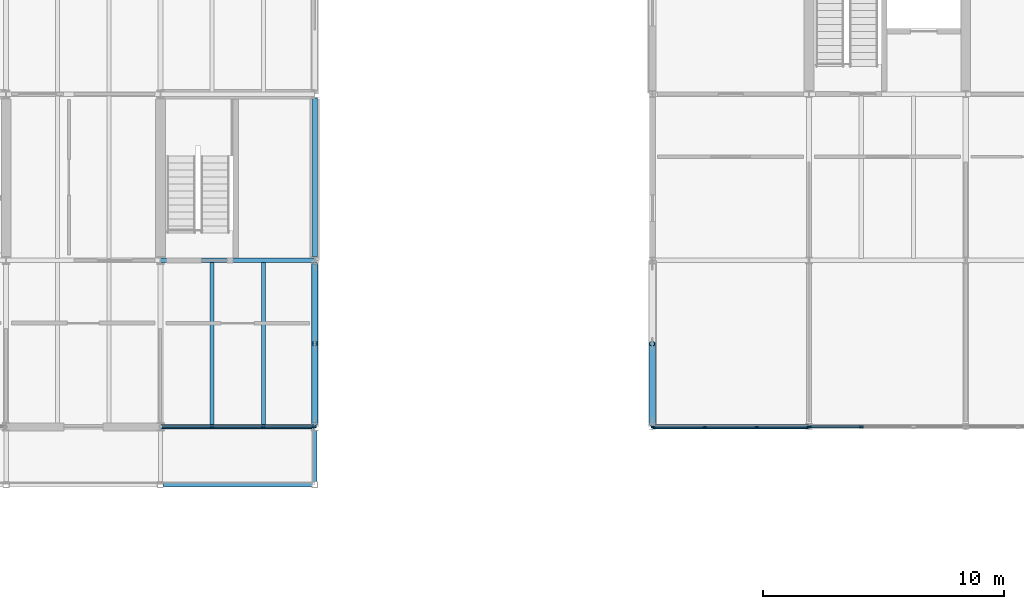
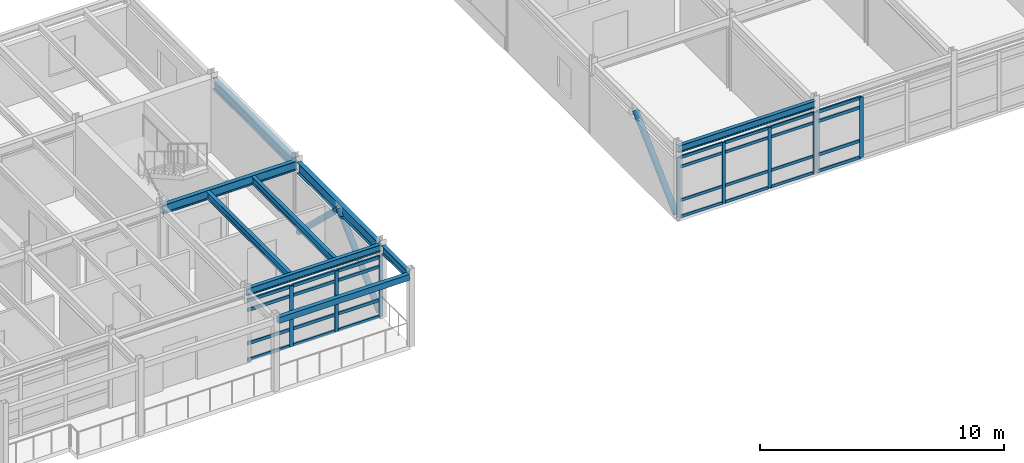
# One storey, part 23 of 57: 40 members, 9 beams, 3 elements without a shape of their own.
"""IFC4 building model written with IfcOpenShell, lengths in metres."""

from ifc_helpers import new_model, si_unit, direction, frame, origin, origin_2d, place, context, subcontext, project, spatial, rectangle, hollow_rectangle, hollow_circle, i_section, extrude, material, layer, layer_set, material_profile, profile_set, type_object, element, aggregate, save


model = new_model("IFC4")

# Units and contexts
model_context = context("Model", 3, precision=1e-05, world=origin(), true_north=direction((0.0, 1.0)))
body_context = subcontext(model_context, "Body", "Model", "MODEL_VIEW")
ifc_project = project(units=[si_unit("LENGTHUNIT", "METRE"), si_unit("AREAUNIT", "SQUARE_METRE"), si_unit("VOLUMEUNIT", "CUBIC_METRE"), si_unit("PLANEANGLEUNIT", "RADIAN"), si_unit("MASSUNIT", "GRAM", prefix="KILO")], contexts=[model_context])

# Site, building, storey
site_placement = place(None, origin())
site = spatial("IfcSite", under=ifc_project, at=site_placement, CompositionType="ELEMENT")
building_placement = place(site_placement, origin())
building = spatial("IfcBuilding", under=site, at=building_placement, Name="Trelmorton Wharf Fire Station", CompositionType="ELEMENT")
storey_placement = place(building_placement, frame((0.0, 0.0, 13.5)))
storey = spatial("IfcBuildingStorey", under=building, at=storey_placement, Name="L03", CompositionType="ELEMENT", Elevation=13.5)

# Beams
ifc_material_1 = material(Name="Steel Grade 350", Category="steel")
ifc_material_profile_1 = material_profile(ifc_material_1, i_section(OverallWidth=0.177978515625, OverallDepth=0.406005859375, WebThickness=0.0078125, FlangeThickness=0.0126953125, FilletRadius=0.011474609375, at=origin_2d()), Name="410UB59.7")
ifc_profile_set_1 = profile_set([ifc_material_profile_1], Name="Steel Grade 350")
beam_type_1 = type_object("IfcBeamType", Name="BM_410UB60", PredefinedType="BEAM", material=ifc_profile_set_1)
beam_1_placement = place(storey_placement, frame((90.0, 58.02099609375, 3.427001953125), z_axis=(0.0, 1.0, 0.0), x_axis=(-1.0, 0.0, 0.0)))
element("IfcBeam", 1, at=beam_1_placement, inside=storey, type_object=beam_type_1, Name="BM-L03-0976", PredefinedType="BEAM", context=body_context, shape_type="SweptSolid", body=[
    extrude(i_section(OverallWidth=0.177978515625, OverallDepth=0.406005859375, WebThickness=0.0078125, FlangeThickness=0.0126953125, FilletRadius=0.011474609375, at=origin_2d()), origin(), (0.0, 0.0, 1.0), 2.12548828125),
])
ifc_material_profile_2 = material_profile(ifc_material_1, i_section(OverallWidth=0.18994140625, OverallDepth=0.45703125, WebThickness=0.009033203125, FlangeThickness=0.014404296875, FilletRadius=0.011474609375, at=origin_2d()), Name="460UB74.6")
ifc_profile_set_2 = profile_set([ifc_material_profile_2], Name="Steel Grade 350")
beam_type_2 = type_object("IfcBeamType", Name="BM_460UB75", PredefinedType="BEAM", material=ifc_profile_set_2)
beam_2_placement = place(storey_placement, frame((83.60498046875, 67.199951171875, 3.401611328125), z_axis=(1.0, 0.0, 0.0), x_axis=(0.0, 1.0, 0.0)))
element("IfcBeam", 2, at=beam_2_placement, inside=storey, type_object=beam_type_2, Name="BM-L03-0933", PredefinedType="BEAM", context=body_context, shape_type="SweptSolid", body=[
    extrude(i_section(OverallWidth=0.18994140625, OverallDepth=0.45703125, WebThickness=0.009033203125, FlangeThickness=0.014404296875, FilletRadius=0.011474609375, at=origin_2d()), origin(), (0.0, 0.0, 1.0), 6.39013671875),
])
ifc_material_profile_3 = material_profile(ifc_material_1, i_section(OverallWidth=0.208984375, OverallDepth=0.532958984375, WebThickness=0.01025390625, FlangeThickness=0.015625, FilletRadius=0.013916015625, at=origin_2d()), Name="530UB92.4")
ifc_profile_set_3 = profile_set([ifc_material_profile_3], Name="Steel Grade 350")
beam_type_3 = type_object("IfcBeamType", Name="BM_530UB92", PredefinedType="BEAM", material=ifc_profile_set_3)
beam_3_placement = place(storey_placement, frame((90.0, 60.45361328125, 3.363525390625), z_axis=(0.0, 1.0, 0.0), x_axis=(-1.0, 0.0, 0.0)))
element("IfcBeam", 3, at=beam_3_placement, inside=storey, type_object=beam_type_3, Name="BM-L03-0977", PredefinedType="BEAM", context=body_context, shape_type="SweptSolid", body=[
    extrude(i_section(OverallWidth=0.208984375, OverallDepth=0.532958984375, WebThickness=0.01025390625, FlangeThickness=0.015625, FilletRadius=0.013916015625, at=origin_2d()), origin(), (0.0, 0.0, 1.0), 6.58984375),
])
beam_4_placement = place(storey_placement, frame((90.0, 67.3564453125, 3.363525390625), z_axis=(0.0, 1.0, 0.0), x_axis=(-1.0, 0.0, 0.0)))
element("IfcBeam", 4, at=beam_4_placement, inside=storey, type_object=beam_type_3, Name="BM-L03-0978", PredefinedType="BEAM", context=body_context, shape_type="SweptSolid", body=[
    extrude(i_section(OverallWidth=0.208984375, OverallDepth=0.532958984375, WebThickness=0.01025390625, FlangeThickness=0.015625, FilletRadius=0.013916015625, at=origin_2d()), origin(), (0.0, 0.0, 1.0), 6.587158203125),
])
ifc_material_2 = material(Name="Signal-red architectural steel Grade 350", Category="steel")
ifc_material_profile_4 = material_profile(ifc_material_2, hollow_rectangle(XDim=0.199951171875, YDim=0.300048828125, WallThickness=0.012451171875, at=origin_2d()), Name="300x200x12.5RHS")
ifc_profile_set_4 = profile_set([ifc_material_profile_4], Name="Signal-red architectural steel Grade 350")
beam_type_4 = type_object("IfcBeamType", Name="BM_RED_300RHS", PredefinedType="BEAM", material=ifc_profile_set_4)
beam_5_placement = place(storey_placement, frame((83.720947265625, 57.89990234375, 3.47998046875), z_axis=(1.0, 0.0, 0.0), x_axis=(0.0, 1.0, 0.0)))
element("IfcBeam", 5, at=beam_5_placement, inside=storey, type_object=beam_type_4, Name="BM-L03-0919", PredefinedType="BEAM", context=body_context, shape_type="SweptSolid", body=[
    extrude(hollow_rectangle(XDim=0.199951171875, YDim=0.300048828125, WallThickness=0.012451171875, at=origin_2d()), origin(), (0.0, 0.0, 1.0), 6.157958984375),
])

# Members
ifc_material_3 = material(Name="Steel C350L0 (350 MPa)", Category="steel")
ifc_material_profile_5 = material_profile(ifc_material_3, hollow_circle(Radius=0.136474609375, WallThickness=0.00927734375, at=origin_2d()), Name="273.1x9.3CHS")
ifc_profile_set_5 = profile_set([ifc_material_profile_5], Name="Steel C350L0 (350 MPa)")
member_type_1 = type_object("IfcMemberType", Name="BR_273CHS", PredefinedType="BRACE", material=ifc_profile_set_5)
member_1_placement = place(storey_placement, frame((90.0, 60.45458984375, 0.1201171875), z_axis=(0.0, 0.721790056105, 0.692112068171), x_axis=(-1.0, 0.0, 0.0)))
element("IfcMember", 6, at=member_1_placement, inside=storey, type_object=member_type_1, Name="CBF-V2-E-L03-A", PredefinedType="BRACE", context=body_context, shape_type="SweptSolid", body=[
    extrude(hollow_circle(Radius=0.136474609375, WallThickness=0.00927734375, at=origin_2d()), origin(), (0.0, 0.0, 1.0), 4.565673828125),
])
member_2_placement = place(storey_placement, frame((90.0, 67.04248046875, 0.1201171875), z_axis=(0.0, -0.721482462485, 0.692432708879), x_axis=(1.0, 0.0, 0.0)))
element("IfcMember", 7, at=member_2_placement, inside=storey, type_object=member_type_1, Name="CBF-V2-E-L03-B", PredefinedType="BRACE", context=body_context, shape_type="SweptSolid", body=[
    extrude(hollow_circle(Radius=0.136474609375, WallThickness=0.00927734375, at=origin_2d()), origin(), (0.0, 0.0, 1.0), 4.5634765625),
])
member_3_placement = place(storey_placement, frame((104.0, 60.427001953125, 0.1201171875), z_axis=(0.0, 0.724665699135, 0.689100590986), x_axis=(-1.0, 0.0, 0.0)))
element("IfcMember", 8, at=member_3_placement, inside=storey, type_object=member_type_1, Name="CBF-V4-W-L03-A", PredefinedType="BRACE", context=body_context, shape_type="SweptSolid", body=[
    extrude(hollow_circle(Radius=0.136474609375, WallThickness=0.00927734375, at=origin_2d()), origin(), (0.0, 0.0, 1.0), 4.58544921875),
])

# Curtain wall, members
ifc_material_4 = material(Name="Anodised aluminium AW-6063", Category="aluminium")
ifc_layer_1 = layer(ifc_material_4, 0.175048828125)
ifc_layer_set_1 = layer_set([ifc_layer_1], Name="Anodised aluminium AW-6063")
curtain_wall_type_1 = type_object("IfcCurtainWallType", Name="CW_CHIC_B", PredefinedType="USERDEFINED", material=ifc_layer_set_1)
curtain_wall_1_placement = place(storey_placement, origin())
curtain_wall_1 = element("IfcCurtainWall", 9, at=curtain_wall_1_placement, inside=storey, type_object=curtain_wall_type_1, Name="CW-V4-L03-143", ObjectType="CHICAGO BAY CURTAIN WALL", PredefinedType="USERDEFINED")
ifc_material_profile_6 = material_profile(ifc_material_4, rectangle(XDim=0.06494140625, YDim=0.159912109375, at=origin_2d()), Name="ALU-65x160")
ifc_profile_set_6 = profile_set([ifc_material_profile_6], Name="Anodised aluminium AW-6063")
member_type_2 = type_object("IfcMemberType", Name="CWM_65x160", PredefinedType="MULLION", material=ifc_profile_set_6)
member_4_placement = place(storey_placement, frame((110.465087890625, 60.300048828125, 0.0), z_axis=(0.0, 0.0, 1.0), x_axis=(0.0, -1.0, 0.0)))
member_4 = element("IfcMember", 10, at=member_4_placement, type_object=member_type_2, Name="CW2 mullion 1", PredefinedType="MULLION", context=body_context, shape_type="SweptSolid", body=[
    extrude(rectangle(XDim=0.06494140625, YDim=0.159912109375, at=origin_2d()), origin(), (0.0, 0.0, 1.0), 3.02001953125),
])
member_5_placement = place(storey_placement, frame((108.331787109375, 60.300048828125, 0.0), z_axis=(0.0, 0.0, 1.0), x_axis=(0.0, -1.0, 0.0)))
member_5 = element("IfcMember", 11, at=member_5_placement, type_object=member_type_2, Name="CW2 mullion 2", PredefinedType="MULLION", context=body_context, shape_type="SweptSolid", body=[
    extrude(rectangle(XDim=0.06494140625, YDim=0.159912109375, at=origin_2d()), origin(), (0.0, 0.0, 1.0), 3.02001953125),
])
member_6_placement = place(storey_placement, frame((106.168212890625, 60.300048828125, 0.0), z_axis=(0.0, 0.0, 1.0), x_axis=(0.0, -1.0, 0.0)))
member_6 = element("IfcMember", 12, at=member_6_placement, type_object=member_type_2, Name="CW2 mullion 3", PredefinedType="MULLION", context=body_context, shape_type="SweptSolid", body=[
    extrude(rectangle(XDim=0.06494140625, YDim=0.159912109375, at=origin_2d()), origin(), (0.0, 0.0, 1.0), 3.02001953125),
])
member_7_placement = place(storey_placement, frame((104.034912109375, 60.300048828125, 0.0), z_axis=(0.0, 0.0, 1.0), x_axis=(0.0, -1.0, 0.0)))
member_7 = element("IfcMember", 13, at=member_7_placement, type_object=member_type_2, Name="CW2 mullion 4", PredefinedType="MULLION", context=body_context, shape_type="SweptSolid", body=[
    extrude(rectangle(XDim=0.06494140625, YDim=0.159912109375, at=origin_2d()), origin(), (0.0, 0.0, 1.0), 3.02001953125),
])

ifc_layer_2 = layer(ifc_material_4, 0.159912109375)
ifc_layer_set_2 = layer_set([ifc_layer_2], Name="Anodised aluminium AW-6063")
curtain_wall_type_2 = type_object("IfcCurtainWallType", Name="CW_CHIC_A", PredefinedType="USERDEFINED", material=ifc_layer_set_2)
curtain_wall_2_placement = place(storey_placement, origin())
curtain_wall_2 = element("IfcCurtainWall", 14, at=curtain_wall_2_placement, inside=storey, type_object=curtain_wall_type_2, Name="CW-V2-L03-104", ObjectType="CHICAGO BAY CURTAIN WALL", PredefinedType="USERDEFINED")
ifc_material_profile_7 = material_profile(ifc_material_4, rectangle(XDim=0.074951171875, YDim=0.175048828125, at=origin_2d()), Name="ALU-75x175")
ifc_profile_set_7 = profile_set([ifc_material_profile_7], Name="Anodised aluminium AW-6063")
member_type_3 = type_object("IfcMemberType", Name="CWM_75x175", PredefinedType="MULLION", material=ifc_profile_set_7)
member_8_placement = place(storey_placement, frame((89.965087890625, 60.300048828125, 0.0), z_axis=(0.0, 0.0, 1.0), x_axis=(0.0, -1.0, 0.0)))
member_8 = element("IfcMember", 15, at=member_8_placement, type_object=member_type_3, Name="CW1 mullion 1", PredefinedType="MULLION", context=body_context, shape_type="SweptSolid", body=[
    extrude(rectangle(XDim=0.074951171875, YDim=0.175048828125, at=origin_2d()), origin(), (0.0, 0.0, 1.0), 3.02001953125),
])
member_9_placement = place(storey_placement, frame((87.864990234375, 60.300048828125, 0.0), z_axis=(0.0, 0.0, 1.0), x_axis=(0.0, -1.0, 0.0)))
member_9 = element("IfcMember", 16, at=member_9_placement, type_object=member_type_3, Name="CW1 mullion 2", PredefinedType="MULLION", context=body_context, shape_type="SweptSolid", body=[
    extrude(rectangle(XDim=0.074951171875, YDim=0.175048828125, at=origin_2d()), origin(), (0.0, 0.0, 1.0), 3.02001953125),
])
member_10_placement = place(storey_placement, frame((85.735107421875, 60.300048828125, 0.0), z_axis=(0.0, 0.0, 1.0), x_axis=(0.0, -1.0, 0.0)))
member_10 = element("IfcMember", 17, at=member_10_placement, type_object=member_type_3, Name="CW1 mullion 3", PredefinedType="MULLION", context=body_context, shape_type="SweptSolid", body=[
    extrude(rectangle(XDim=0.074951171875, YDim=0.175048828125, at=origin_2d()), origin(), (0.0, 0.0, 1.0), 3.02001953125),
])

curtain_wall_3_placement = place(storey_placement, origin())
curtain_wall_3 = element("IfcCurtainWall", 18, at=curtain_wall_3_placement, inside=storey, type_object=curtain_wall_type_1, Name="CW-V4-L03-144", ObjectType="CHICAGO BAY CURTAIN WALL", PredefinedType="USERDEFINED")
member_11_placement = place(storey_placement, frame((112.668212890625, 60.300048828125, 0.0), z_axis=(0.0, 0.0, 1.0), x_axis=(0.0, -1.0, 0.0)))
member_11 = element("IfcMember", 19, at=member_11_placement, type_object=member_type_3, Name="CW2 mullion 3", PredefinedType="MULLION", context=body_context, shape_type="SweptSolid", body=[
    extrude(rectangle(XDim=0.074951171875, YDim=0.175048828125, at=origin_2d()), origin(), (0.0, 0.0, 1.0), 3.02001953125),
])
member_12_placement = place(storey_placement, frame((110.534912109375, 60.300048828125, 0.0), z_axis=(0.0, 0.0, 1.0), x_axis=(0.0, -1.0, 0.0)))
member_12 = element("IfcMember", 20, at=member_12_placement, type_object=member_type_3, Name="CW2 mullion 4", PredefinedType="MULLION", context=body_context, shape_type="SweptSolid", body=[
    extrude(rectangle(XDim=0.074951171875, YDim=0.175048828125, at=origin_2d()), origin(), (0.0, 0.0, 1.0), 3.02001953125),
])

# Member
ifc_material_profile_8 = material_profile(ifc_material_4, rectangle(XDim=0.06494140625, YDim=0.139892578125, at=origin_2d()), Name="ALU-65x140")
ifc_profile_set_8 = profile_set([ifc_material_profile_8], Name="Anodised aluminium AW-6063")
member_type_4 = type_object("IfcMemberType", Name="CWT_65x140", PredefinedType="USERDEFINED", material=ifc_profile_set_8)
member_13_placement = place(storey_placement, frame((110.43505859375, 60.300048828125, 0.030029296875), z_axis=(-1.0, 0.0, 0.0), x_axis=(0.0, -1.0, 0.0)))
member_13 = element("IfcMember", 21, at=member_13_placement, type_object=member_type_4, Name="CW2 transom 1.1", ObjectType="TRANSOM", PredefinedType="USERDEFINED", context=body_context, shape_type="SweptSolid", body=[
    extrude(rectangle(XDim=0.06494140625, YDim=0.139892578125, at=origin_2d()), origin(), (0.0, 0.0, 1.0), 2.073486328125),
])

member_14_placement = place(storey_placement, frame((110.43505859375, 60.300048828125, 0.85009765625), z_axis=(-1.0, 0.0, 0.0), x_axis=(0.0, -1.0, 0.0)))
member_14 = element("IfcMember", 22, at=member_14_placement, type_object=member_type_4, Name="CW2 transom 1.2", ObjectType="TRANSOM", PredefinedType="USERDEFINED", context=body_context, shape_type="SweptSolid", body=[
    extrude(rectangle(XDim=0.06494140625, YDim=0.139892578125, at=origin_2d()), origin(), (0.0, 0.0, 1.0), 2.073486328125),
])

member_15_placement = place(storey_placement, frame((110.43505859375, 60.300048828125, 2.52001953125), z_axis=(-1.0, 0.0, 0.0), x_axis=(0.0, -1.0, 0.0)))
member_15 = element("IfcMember", 23, at=member_15_placement, type_object=member_type_4, Name="CW2 transom 1.3", ObjectType="TRANSOM", PredefinedType="USERDEFINED", context=body_context, shape_type="SweptSolid", body=[
    extrude(rectangle(XDim=0.06494140625, YDim=0.139892578125, at=origin_2d()), origin(), (0.0, 0.0, 1.0), 2.073486328125),
])

member_16_placement = place(storey_placement, frame((110.43505859375, 60.300048828125, 2.989990234375), z_axis=(-1.0, 0.0, 0.0), x_axis=(0.0, -1.0, 0.0)))
member_16 = element("IfcMember", 24, at=member_16_placement, type_object=member_type_4, Name="CW2 transom 1.4", ObjectType="TRANSOM", PredefinedType="USERDEFINED", context=body_context, shape_type="SweptSolid", body=[
    extrude(rectangle(XDim=0.06494140625, YDim=0.139892578125, at=origin_2d()), origin(), (0.0, 0.0, 1.0), 2.073486328125),
])

member_17_placement = place(storey_placement, frame((108.3017578125, 60.300048828125, 0.030029296875), z_axis=(-1.0, 0.0, 0.0), x_axis=(0.0, -1.0, 0.0)))
member_17 = element("IfcMember", 25, at=member_17_placement, type_object=member_type_4, Name="CW2 transom 2.1", ObjectType="TRANSOM", PredefinedType="USERDEFINED", context=body_context, shape_type="SweptSolid", body=[
    extrude(rectangle(XDim=0.06494140625, YDim=0.139892578125, at=origin_2d()), origin(), (0.0, 0.0, 1.0), 2.103515625),
])

member_18_placement = place(storey_placement, frame((108.3017578125, 60.300048828125, 0.85009765625), z_axis=(-1.0, 0.0, 0.0), x_axis=(0.0, -1.0, 0.0)))
member_18 = element("IfcMember", 26, at=member_18_placement, type_object=member_type_4, Name="CW2 transom 2.2", ObjectType="TRANSOM", PredefinedType="USERDEFINED", context=body_context, shape_type="SweptSolid", body=[
    extrude(rectangle(XDim=0.06494140625, YDim=0.139892578125, at=origin_2d()), origin(), (0.0, 0.0, 1.0), 2.103515625),
])

member_19_placement = place(storey_placement, frame((108.3017578125, 60.300048828125, 2.52001953125), z_axis=(-1.0, 0.0, 0.0), x_axis=(0.0, -1.0, 0.0)))
member_19 = element("IfcMember", 27, at=member_19_placement, type_object=member_type_4, Name="CW2 transom 2.3", ObjectType="TRANSOM", PredefinedType="USERDEFINED", context=body_context, shape_type="SweptSolid", body=[
    extrude(rectangle(XDim=0.06494140625, YDim=0.139892578125, at=origin_2d()), origin(), (0.0, 0.0, 1.0), 2.103515625),
])

member_20_placement = place(storey_placement, frame((108.3017578125, 60.300048828125, 2.989990234375), z_axis=(-1.0, 0.0, 0.0), x_axis=(0.0, -1.0, 0.0)))
member_20 = element("IfcMember", 28, at=member_20_placement, type_object=member_type_4, Name="CW2 transom 2.4", ObjectType="TRANSOM", PredefinedType="USERDEFINED", context=body_context, shape_type="SweptSolid", body=[
    extrude(rectangle(XDim=0.06494140625, YDim=0.139892578125, at=origin_2d()), origin(), (0.0, 0.0, 1.0), 2.103515625),
])

member_21_placement = place(storey_placement, frame((106.138427734375, 60.300048828125, 0.030029296875), z_axis=(-1.0, 0.0, 0.0), x_axis=(0.0, -1.0, 0.0)))
member_21 = element("IfcMember", 29, at=member_21_placement, type_object=member_type_4, Name="CW2 transom 3.1", ObjectType="TRANSOM", PredefinedType="USERDEFINED", context=body_context, shape_type="SweptSolid", body=[
    extrude(rectangle(XDim=0.06494140625, YDim=0.139892578125, at=origin_2d()), origin(), (0.0, 0.0, 1.0), 2.073486328125),
])

member_22_placement = place(storey_placement, frame((106.138427734375, 60.300048828125, 0.85009765625), z_axis=(-1.0, 0.0, 0.0), x_axis=(0.0, -1.0, 0.0)))
member_22 = element("IfcMember", 30, at=member_22_placement, type_object=member_type_4, Name="CW2 transom 3.2", ObjectType="TRANSOM", PredefinedType="USERDEFINED", context=body_context, shape_type="SweptSolid", body=[
    extrude(rectangle(XDim=0.06494140625, YDim=0.139892578125, at=origin_2d()), origin(), (0.0, 0.0, 1.0), 2.073486328125),
])

member_23_placement = place(storey_placement, frame((106.138427734375, 60.300048828125, 2.52001953125), z_axis=(-1.0, 0.0, 0.0), x_axis=(0.0, -1.0, 0.0)))
member_23 = element("IfcMember", 31, at=member_23_placement, type_object=member_type_4, Name="CW2 transom 3.3", ObjectType="TRANSOM", PredefinedType="USERDEFINED", context=body_context, shape_type="SweptSolid", body=[
    extrude(rectangle(XDim=0.06494140625, YDim=0.139892578125, at=origin_2d()), origin(), (0.0, 0.0, 1.0), 2.073486328125),
])

member_24_placement = place(storey_placement, frame((106.138427734375, 60.300048828125, 2.989990234375), z_axis=(-1.0, 0.0, 0.0), x_axis=(0.0, -1.0, 0.0)))
member_24 = element("IfcMember", 32, at=member_24_placement, type_object=member_type_4, Name="CW2 transom 3.4", ObjectType="TRANSOM", PredefinedType="USERDEFINED", context=body_context, shape_type="SweptSolid", body=[
    extrude(rectangle(XDim=0.06494140625, YDim=0.139892578125, at=origin_2d()), origin(), (0.0, 0.0, 1.0), 2.073486328125),
])

aggregate(curtain_wall_1, [member_4, member_5, member_6, member_7, member_13, member_14, member_15, member_16, member_17, member_18, member_19, member_20, member_21, member_22, member_23, member_24])

ifc_material_profile_9 = material_profile(ifc_material_4, rectangle(XDim=0.074951171875, YDim=0.155029296875, at=origin_2d()), Name="ALU-75x155")
ifc_profile_set_9 = profile_set([ifc_material_profile_9], Name="Anodised aluminium AW-6063")
member_type_5 = type_object("IfcMemberType", Name="CWT_75x155", PredefinedType="USERDEFINED", material=ifc_profile_set_9)
member_25_placement = place(storey_placement, frame((89.93505859375, 60.300048828125, 0.030029296875), z_axis=(-1.0, 0.0, 0.0), x_axis=(0.0, -1.0, 0.0)))
member_25 = element("IfcMember", 33, at=member_25_placement, type_object=member_type_5, Name="CW1 transom 1.1", ObjectType="TRANSOM", PredefinedType="USERDEFINED", context=body_context, shape_type="SweptSolid", body=[
    extrude(rectangle(XDim=0.074951171875, YDim=0.155029296875, at=origin_2d()), origin(), (0.0, 0.0, 1.0), 2.0400390625),
])

member_26_placement = place(storey_placement, frame((89.93505859375, 60.300048828125, 0.85009765625), z_axis=(-1.0, 0.0, 0.0), x_axis=(0.0, -1.0, 0.0)))
member_26 = element("IfcMember", 34, at=member_26_placement, type_object=member_type_5, Name="CW1 transom 1.2", ObjectType="TRANSOM", PredefinedType="USERDEFINED", context=body_context, shape_type="SweptSolid", body=[
    extrude(rectangle(XDim=0.074951171875, YDim=0.155029296875, at=origin_2d()), origin(), (0.0, 0.0, 1.0), 2.0400390625),
])

member_27_placement = place(storey_placement, frame((89.93505859375, 60.300048828125, 2.52001953125), z_axis=(-1.0, 0.0, 0.0), x_axis=(0.0, -1.0, 0.0)))
member_27 = element("IfcMember", 35, at=member_27_placement, type_object=member_type_5, Name="CW1 transom 1.3", ObjectType="TRANSOM", PredefinedType="USERDEFINED", context=body_context, shape_type="SweptSolid", body=[
    extrude(rectangle(XDim=0.074951171875, YDim=0.155029296875, at=origin_2d()), origin(), (0.0, 0.0, 1.0), 2.0400390625),
])

member_28_placement = place(storey_placement, frame((89.93505859375, 60.300048828125, 2.989990234375), z_axis=(-1.0, 0.0, 0.0), x_axis=(0.0, -1.0, 0.0)))
member_28 = element("IfcMember", 36, at=member_28_placement, type_object=member_type_5, Name="CW1 transom 1.4", ObjectType="TRANSOM", PredefinedType="USERDEFINED", context=body_context, shape_type="SweptSolid", body=[
    extrude(rectangle(XDim=0.074951171875, YDim=0.155029296875, at=origin_2d()), origin(), (0.0, 0.0, 1.0), 2.0400390625),
])

member_29_placement = place(storey_placement, frame((87.8349609375, 60.300048828125, 0.030029296875), z_axis=(-1.0, 0.0, 0.0), x_axis=(0.0, -1.0, 0.0)))
member_29 = element("IfcMember", 37, at=member_29_placement, type_object=member_type_5, Name="CW1 transom 2.1", ObjectType="TRANSOM", PredefinedType="USERDEFINED", context=body_context, shape_type="SweptSolid", body=[
    extrude(rectangle(XDim=0.074951171875, YDim=0.155029296875, at=origin_2d()), origin(), (0.0, 0.0, 1.0), 2.070068359375),
])

member_30_placement = place(storey_placement, frame((87.8349609375, 60.300048828125, 0.85009765625), z_axis=(-1.0, 0.0, 0.0), x_axis=(0.0, -1.0, 0.0)))
member_30 = element("IfcMember", 38, at=member_30_placement, type_object=member_type_5, Name="CW1 transom 2.2", ObjectType="TRANSOM", PredefinedType="USERDEFINED", context=body_context, shape_type="SweptSolid", body=[
    extrude(rectangle(XDim=0.074951171875, YDim=0.155029296875, at=origin_2d()), origin(), (0.0, 0.0, 1.0), 2.070068359375),
])

member_31_placement = place(storey_placement, frame((87.8349609375, 60.300048828125, 2.52001953125), z_axis=(-1.0, 0.0, 0.0), x_axis=(0.0, -1.0, 0.0)))
member_31 = element("IfcMember", 39, at=member_31_placement, type_object=member_type_5, Name="CW1 transom 2.3", ObjectType="TRANSOM", PredefinedType="USERDEFINED", context=body_context, shape_type="SweptSolid", body=[
    extrude(rectangle(XDim=0.074951171875, YDim=0.155029296875, at=origin_2d()), origin(), (0.0, 0.0, 1.0), 2.070068359375),
])

member_32_placement = place(storey_placement, frame((87.8349609375, 60.300048828125, 2.989990234375), z_axis=(-1.0, 0.0, 0.0), x_axis=(0.0, -1.0, 0.0)))
member_32 = element("IfcMember", 40, at=member_32_placement, type_object=member_type_5, Name="CW1 transom 2.4", ObjectType="TRANSOM", PredefinedType="USERDEFINED", context=body_context, shape_type="SweptSolid", body=[
    extrude(rectangle(XDim=0.074951171875, YDim=0.155029296875, at=origin_2d()), origin(), (0.0, 0.0, 1.0), 2.070068359375),
])

member_33_placement = place(storey_placement, frame((85.705078125, 60.300048828125, 0.030029296875), z_axis=(-1.0, 0.0, 0.0), x_axis=(0.0, -1.0, 0.0)))
member_33 = element("IfcMember", 41, at=member_33_placement, type_object=member_type_5, Name="CW1 transom 3.1", ObjectType="TRANSOM", PredefinedType="USERDEFINED", context=body_context, shape_type="SweptSolid", body=[
    extrude(rectangle(XDim=0.074951171875, YDim=0.155029296875, at=origin_2d()), origin(), (0.0, 0.0, 1.0), 2.0400390625),
])

member_34_placement = place(storey_placement, frame((85.705078125, 60.300048828125, 0.85009765625), z_axis=(-1.0, 0.0, 0.0), x_axis=(0.0, -1.0, 0.0)))
member_34 = element("IfcMember", 42, at=member_34_placement, type_object=member_type_5, Name="CW1 transom 3.2", ObjectType="TRANSOM", PredefinedType="USERDEFINED", context=body_context, shape_type="SweptSolid", body=[
    extrude(rectangle(XDim=0.074951171875, YDim=0.155029296875, at=origin_2d()), origin(), (0.0, 0.0, 1.0), 2.0400390625),
])

member_35_placement = place(storey_placement, frame((85.705078125, 60.300048828125, 2.52001953125), z_axis=(-1.0, 0.0, 0.0), x_axis=(0.0, -1.0, 0.0)))
member_35 = element("IfcMember", 43, at=member_35_placement, type_object=member_type_5, Name="CW1 transom 3.3", ObjectType="TRANSOM", PredefinedType="USERDEFINED", context=body_context, shape_type="SweptSolid", body=[
    extrude(rectangle(XDim=0.074951171875, YDim=0.155029296875, at=origin_2d()), origin(), (0.0, 0.0, 1.0), 2.0400390625),
])

member_36_placement = place(storey_placement, frame((85.705078125, 60.300048828125, 2.989990234375), z_axis=(-1.0, 0.0, 0.0), x_axis=(0.0, -1.0, 0.0)))
member_36 = element("IfcMember", 44, at=member_36_placement, type_object=member_type_5, Name="CW1 transom 3.4", ObjectType="TRANSOM", PredefinedType="USERDEFINED", context=body_context, shape_type="SweptSolid", body=[
    extrude(rectangle(XDim=0.074951171875, YDim=0.155029296875, at=origin_2d()), origin(), (0.0, 0.0, 1.0), 2.0400390625),
])

aggregate(curtain_wall_2, [member_8, member_9, member_10, member_25, member_26, member_27, member_28, member_29, member_30, member_31, member_32, member_33, member_34, member_35, member_36])

member_37_placement = place(storey_placement, frame((112.638427734375, 60.300048828125, 0.030029296875), z_axis=(-1.0, 0.0, 0.0), x_axis=(0.0, -1.0, 0.0)))
member_37 = element("IfcMember", 45, at=member_37_placement, type_object=member_type_5, Name="CW2 transom 3.1", ObjectType="TRANSOM", PredefinedType="USERDEFINED", context=body_context, shape_type="SweptSolid", body=[
    extrude(rectangle(XDim=0.074951171875, YDim=0.155029296875, at=origin_2d()), origin(), (0.0, 0.0, 1.0), 2.073486328125),
])

member_38_placement = place(storey_placement, frame((112.638427734375, 60.300048828125, 0.85009765625), z_axis=(-1.0, 0.0, 0.0), x_axis=(0.0, -1.0, 0.0)))
member_38 = element("IfcMember", 46, at=member_38_placement, type_object=member_type_5, Name="CW2 transom 3.2", ObjectType="TRANSOM", PredefinedType="USERDEFINED", context=body_context, shape_type="SweptSolid", body=[
    extrude(rectangle(XDim=0.074951171875, YDim=0.155029296875, at=origin_2d()), origin(), (0.0, 0.0, 1.0), 2.073486328125),
])

member_39_placement = place(storey_placement, frame((112.638427734375, 60.300048828125, 2.52001953125), z_axis=(-1.0, 0.0, 0.0), x_axis=(0.0, -1.0, 0.0)))
member_39 = element("IfcMember", 47, at=member_39_placement, type_object=member_type_5, Name="CW2 transom 3.3", ObjectType="TRANSOM", PredefinedType="USERDEFINED", context=body_context, shape_type="SweptSolid", body=[
    extrude(rectangle(XDim=0.074951171875, YDim=0.155029296875, at=origin_2d()), origin(), (0.0, 0.0, 1.0), 2.073486328125),
])

member_40_placement = place(storey_placement, frame((112.638427734375, 60.300048828125, 2.989990234375), z_axis=(-1.0, 0.0, 0.0), x_axis=(0.0, -1.0, 0.0)))
member_40 = element("IfcMember", 48, at=member_40_placement, type_object=member_type_5, Name="CW2 transom 3.4", ObjectType="TRANSOM", PredefinedType="USERDEFINED", context=body_context, shape_type="SweptSolid", body=[
    extrude(rectangle(XDim=0.074951171875, YDim=0.155029296875, at=origin_2d()), origin(), (0.0, 0.0, 1.0), 2.073486328125),
])

aggregate(curtain_wall_3, [member_11, member_12, member_37, member_38, member_39, member_40])

# Beams
ifc_material_profile_10 = material_profile(ifc_material_1, i_section(OverallWidth=0.172119140625, OverallDepth=0.35888671875, WebThickness=0.008056640625, FlangeThickness=0.012939453125, FilletRadius=0.011474609375, at=origin_2d()), Name="360UB56.7")
ifc_profile_set_10 = profile_set([ifc_material_profile_10], Name="Steel Grade 350")
beam_type_5 = type_object("IfcBeamType", Name="JS_360UB57", PredefinedType="JOIST", material=ifc_profile_set_10)
for number, where, z_axis, x_axis, name in (
    (49, (85.7333984375, 60.389892578125, 3.450439453125), (0.0, 1.0, 0.0), (-1.0, 0.0, 0.0), "JS-L03-0339"),
    (50, (87.86669921875, 60.389892578125, 3.450439453125), (0.0, 1.0, 0.0), (-1.0, 0.0, 0.0), "JS-L03-0340"),
):
    element("IfcBeam", number, at=place(storey_placement, frame(where, z_axis=z_axis, x_axis=x_axis)), inside=storey, type_object=beam_type_5, Name=name, PredefinedType="JOIST", context=body_context, shape_type="SweptSolid", body=[
        extrude(i_section(OverallWidth=0.172119140625, OverallDepth=0.35888671875, WebThickness=0.008056640625, FlangeThickness=0.012939453125, FilletRadius=0.011474609375, at=origin_2d()), origin(), (0.0, 0.0, 1.0), 6.72021484375),
    ])
ifc_material_profile_11 = material_profile(ifc_material_1, i_section(OverallWidth=0.1708984375, OverallDepth=0.35595703125, WebThickness=0.00732421875, FlangeThickness=0.011474609375, FilletRadius=0.011474609375, at=origin_2d()), Name="360UB50.7")
ifc_profile_set_11 = profile_set([ifc_material_profile_11], Name="Steel Grade 350")
beam_type_6 = type_object("IfcBeamType", Name="SP_360UB51", PredefinedType="SPANDREL", material=ifc_profile_set_11)
beam_6_placement = place(storey_placement, frame((83.60498046875, 60.300048828125, 3.451904296875), z_axis=(1.0, 0.0, 0.0), x_axis=(0.0, 1.0, 0.0)))
element("IfcBeam", 51, at=beam_6_placement, inside=storey, type_object=beam_type_6, Name="BM-L03-0922", PredefinedType="SPANDREL", context=body_context, shape_type="SweptSolid", body=[
    extrude(i_section(OverallWidth=0.1708984375, OverallDepth=0.35595703125, WebThickness=0.00732421875, FlangeThickness=0.011474609375, FilletRadius=0.011474609375, at=origin_2d()), origin(), (0.0, 0.0, 1.0), 6.39111328125),
])
beam_7_placement = place(storey_placement, frame((104.00390625, 60.300048828125, 3.451904296875), z_axis=(1.0, 0.0, 0.0), x_axis=(0.0, 1.0, 0.0)))
element("IfcBeam", 52, at=beam_7_placement, inside=storey, type_object=beam_type_6, Name="BM-L03-0923", PredefinedType="SPANDREL", context=body_context, shape_type="SweptSolid", body=[
    extrude(i_section(OverallWidth=0.1708984375, OverallDepth=0.35595703125, WebThickness=0.00732421875, FlangeThickness=0.011474609375, FilletRadius=0.011474609375, at=origin_2d()), origin(), (0.0, 0.0, 1.0), 6.4921875),
])

save(model, "model.ifc")
